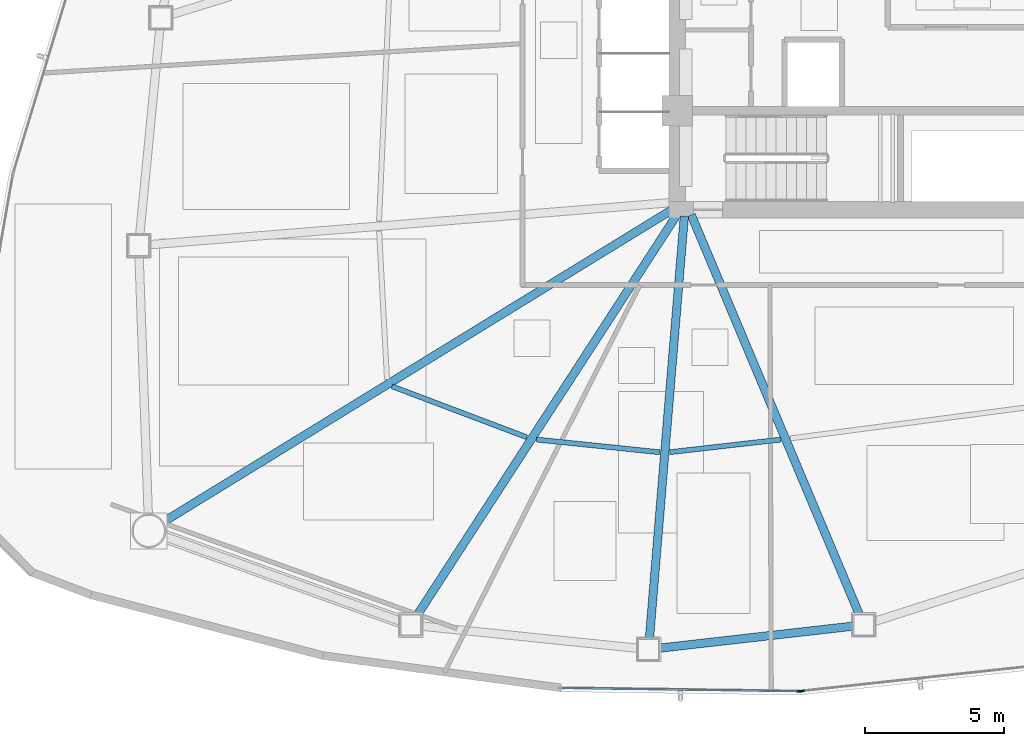
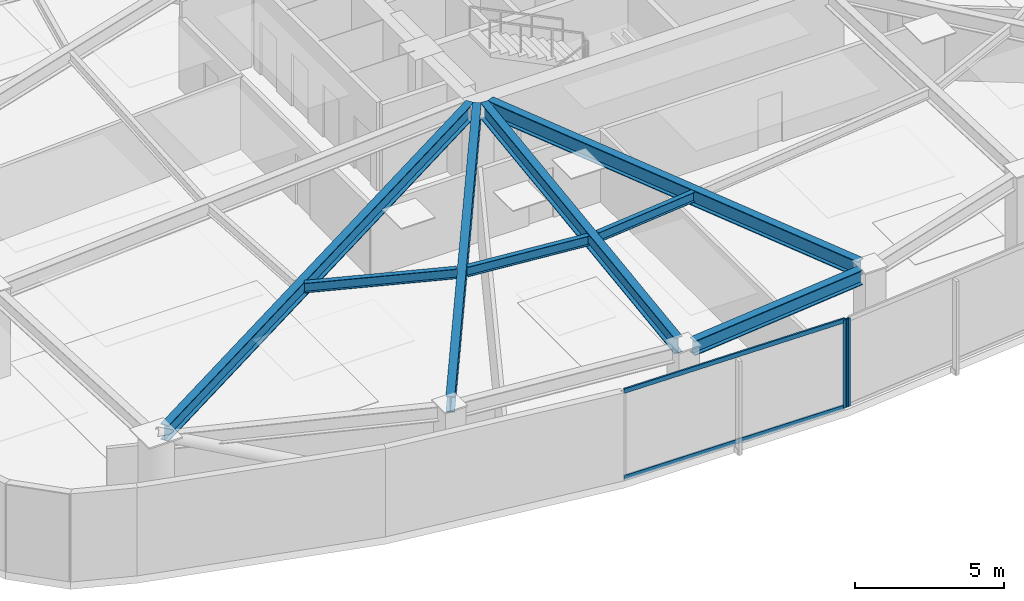
# One storey, part 3 of 16: 8 beams, 4 members, 2 elements without a shape of their own.
"""IFC4 building model written with IfcOpenShell, lengths in metres."""

from ifc_helpers import new_model, si_unit, direction, frame, origin, origin_2d, place, context, subcontext, project, spatial, hollow_rectangle, i_section, extrude, source, transform, mapped, material, layer, layer_set, material_profile, profile_set, type_object, type_shapes, element, aggregate, save


model = new_model("IFC4")

# Units and contexts
model_context = context("Model", 3, precision=1e-05, world=origin(), true_north=direction((0.0, 1.0)))
body_context = subcontext(model_context, "Body", "Model", "MODEL_VIEW")
ifc_project = project(units=[si_unit("LENGTHUNIT", "METRE"), si_unit("AREAUNIT", "SQUARE_METRE"), si_unit("VOLUMEUNIT", "CUBIC_METRE"), si_unit("PLANEANGLEUNIT", "RADIAN"), si_unit("MASSUNIT", "GRAM", prefix="KILO")], contexts=[model_context])

# Site, building, storey
site_placement = place(None, origin())
site = spatial("IfcSite", under=ifc_project, at=site_placement, CompositionType="ELEMENT")
building_placement = place(site_placement, origin())
building = spatial("IfcBuilding", under=site, at=building_placement, Name="Tavelor Broadcast Tower", CompositionType="ELEMENT")
storey_placement = place(building_placement, frame((0.0, 0.0, 35.39990234375)))
storey = spatial("IfcBuildingStorey", under=building, at=storey_placement, Name="L07", CompositionType="ELEMENT", Elevation=35.39990234375)

# Beams
ifc_material_1 = material(Name="Steel S355", Category="steel")
ifc_material_profile_1 = material_profile(ifc_material_1, i_section(OverallWidth=0.179931640625, OverallDepth=0.39990234375, WebThickness=0.008544921875, FlangeThickness=0.013427734375, at=origin_2d()), Name="IPE 400")
ifc_profile_set_1 = profile_set([ifc_material_profile_1], Name="Steel S355")
beam_type_1 = type_object("IfcBeamType", Name="Composite Floor Joist T1 IPE 400", PredefinedType="JOIST", material=ifc_profile_set_1)
beam_1_placement = place(storey_placement, frame((32.875732421875, 32.172119140625, 3.400146484375), z_axis=(0.935393222228, -0.353609275629, 0.0), x_axis=(0.353609275629, 0.935393222228, 0.0)))
element("IfcBeam", 1, at=beam_1_placement, inside=storey, type_object=beam_type_1, Name="L07 Secondary Composite Floor Joist 07", PredefinedType="JOIST", context=body_context, shape_type="SweptSolid", body=[
    extrude(i_section(OverallWidth=0.179931640625, OverallDepth=0.39990234375, WebThickness=0.008544921875, FlangeThickness=0.013427734375, at=origin_2d()), origin(), (0.0, 0.0, 1.0), 5.16357421875),
])
beam_2_placement = place(storey_placement, frame((38.05517578125, 30.263671875, 3.400146484375), z_axis=(0.994731276638, -0.102516765835, 0.0), x_axis=(0.102516765835, 0.994731276638, 0.0)))
element("IfcBeam", 2, at=beam_2_placement, inside=storey, type_object=beam_type_1, Name="L07 Secondary Composite Floor Joist 08", PredefinedType="JOIST", context=body_context, shape_type="SweptSolid", body=[
    extrude(i_section(OverallWidth=0.179931640625, OverallDepth=0.39990234375, WebThickness=0.008544921875, FlangeThickness=0.013427734375, at=origin_2d()), origin(), (0.0, 0.0, 1.0), 4.44384765625),
])
beam_3_placement = place(storey_placement, frame((42.83544921875, 29.81005859375, 3.400146484375), z_axis=(0.993584195036, 0.113094860076, 0.0), x_axis=(-0.113094860076, 0.993584195036, 0.0)))
element("IfcBeam", 3, at=beam_3_placement, inside=storey, type_object=beam_type_1, Name="L07 Secondary Composite Floor Joist 09", PredefinedType="JOIST", context=body_context, shape_type="SweptSolid", body=[
    extrude(i_section(OverallWidth=0.179931640625, OverallDepth=0.39990234375, WebThickness=0.008544921875, FlangeThickness=0.013427734375, at=origin_2d()), origin(), (0.0, 0.0, 1.0), 3.99365234375),
])
ifc_material_profile_2 = material_profile(ifc_material_1, i_section(OverallWidth=0.300048828125, OverallDepth=0.60009765625, WebThickness=0.015380859375, FlangeThickness=0.030029296875, at=origin_2d()), Name="HEB 600")
ifc_profile_set_2 = profile_set([ifc_material_profile_2], Name="Steel S355")
beam_type_2 = type_object("IfcBeamType", Name="Perimeter Spandrel Beam T1 HEB 600", PredefinedType="SPANDREL", material=ifc_profile_set_2)
beam_4_placement = place(storey_placement, frame((42.45458984375, 22.783935546875, 3.300048828125), z_axis=(0.993590028959, 0.113043594921, 0.0), x_axis=(-0.113043594921, 0.993590028959, 0.0)))
element("IfcBeam", 4, at=beam_4_placement, inside=storey, type_object=beam_type_2, Name="L07 Framed-Tube Ring Spandrel 09", PredefinedType="SPANDREL", context=body_context, shape_type="SweptSolid", body=[
    extrude(i_section(OverallWidth=0.300048828125, OverallDepth=0.60009765625, WebThickness=0.015380859375, FlangeThickness=0.030029296875, at=origin_2d()), origin(), (0.0, 0.0, 1.0), 6.995361328125),
])
ifc_material_profile_3 = material_profile(ifc_material_1, i_section(OverallWidth=0.300048828125, OverallDepth=0.64990234375, WebThickness=0.01611328125, FlangeThickness=0.031005859375, at=origin_2d()), Name="HEB 650")
ifc_profile_set_3 = profile_set([ifc_material_profile_3], Name="Steel S355")
beam_type_3 = type_object("IfcBeamType", Name="Radial Floor Girder T1 HEB 650", PredefinedType="BEAM", material=ifc_profile_set_3)
beam_5_placement = place(storey_placement, frame((42.949951171875, 38.523681640625, 3.275146484375), z_axis=(-0.852260376483, -0.523117817205, 0.0), x_axis=(0.523117817205, -0.852260376483, 0.0)))
element("IfcBeam", 5, at=beam_5_placement, inside=storey, type_object=beam_type_3, Name="L07 Radial Primary Floor Girder 07", PredefinedType="BEAM", context=body_context, shape_type="SweptSolid", body=[
    extrude(i_section(OverallWidth=0.300048828125, OverallDepth=0.64990234375, WebThickness=0.01611328125, FlangeThickness=0.031005859375, at=origin_2d()), origin(), (0.0, 0.0, 1.0), 21.463134765625),
])
beam_6_placement = place(storey_placement, frame((43.11279296875, 38.35693359375, 3.275146484375), z_axis=(-0.544182728087, -0.838966720706, 0.0), x_axis=(0.838966720706, -0.544182728087, 0.0)))
element("IfcBeam", 6, at=beam_6_placement, inside=storey, type_object=beam_type_3, Name="L07 Radial Primary Floor Girder 08", PredefinedType="BEAM", context=body_context, shape_type="SweptSolid", body=[
    extrude(i_section(OverallWidth=0.300048828125, OverallDepth=0.64990234375, WebThickness=0.01611328125, FlangeThickness=0.031005859375, at=origin_2d()), origin(), (0.0, 0.0, 1.0), 17.186767578125),
])
beam_7_placement = place(storey_placement, frame((43.3564453125, 38.273681640625, 3.275146484375), z_axis=(-0.082338386508, -0.996604430106, 0.0), x_axis=(0.996604430106, -0.082338386508, 0.0)))
element("IfcBeam", 7, at=beam_7_placement, inside=storey, type_object=beam_type_3, Name="L07 Radial Primary Floor Girder 09", PredefinedType="BEAM", context=body_context, shape_type="SweptSolid", body=[
    extrude(i_section(OverallWidth=0.300048828125, OverallDepth=0.64990234375, WebThickness=0.01611328125, FlangeThickness=0.031005859375, at=origin_2d()), origin(), (0.0, 0.0, 1.0), 15.201904296875),
])
beam_8_placement = place(storey_placement, frame((43.604736328125, 38.313232421875, 3.275146484375), z_axis=(0.387757434366, -0.921761450753, 0.0), x_axis=(0.921761450753, 0.387757434366, 0.0)))
element("IfcBeam", 8, at=beam_8_placement, inside=storey, type_object=beam_type_3, Name="L07 Radial Primary Floor Girder 10", PredefinedType="BEAM", context=body_context, shape_type="SweptSolid", body=[
    extrude(i_section(OverallWidth=0.300048828125, OverallDepth=0.64990234375, WebThickness=0.01611328125, FlangeThickness=0.031005859375, at=origin_2d()), origin(), (0.0, 0.0, 1.0), 15.55859375),
])

# Curtain wall, member
ifc_material_2 = material(Name="Architectural Anodized Aluminium", Category="aluminium")
ifc_layer = layer(ifc_material_2, 0.179931640625)
ifc_layer_set = layer_set([ifc_layer], Name="Architectural Anodized Aluminium")
curtain_wall_type = type_object("IfcCurtainWallType", Name="Tower Low-Zone Unitised Curtain Wall CW02", PredefinedType="NOTDEFINED", material=ifc_layer_set)
curtain_wall_1_placement = place(storey_placement, origin())
curtain_wall_1 = element("IfcCurtainWall", 9, at=curtain_wall_1_placement, inside=storey, type_object=curtain_wall_type, Name="L07 Curtain Wall CW02 Run 41", PredefinedType="NOTDEFINED")
ifc_material_profile_4 = material_profile(ifc_material_2, hollow_rectangle(XDim=0.06494140625, YDim=0.179931640625, WallThickness=0.02197265625, at=origin_2d()), Name="RHS 65x180x22")
ifc_profile_set_4 = profile_set([ifc_material_profile_4], Name="Architectural Anodized Aluminium")
member_type_1 = type_object("IfcMemberType", Name="CW02 Extruded Aluminium Mullion 65x180", PredefinedType="MULLION", material=ifc_profile_set_4)
shared_shape_1 = source(origin(), body_context, "Body", "SweptSolid", [
    extrude(hollow_rectangle(XDim=0.06494140625, YDim=0.179931640625, WallThickness=0.02197265625, at=origin_2d()), origin(), (0.0, 0.0, 1.0), 3.60009765625),
])
type_shapes(member_type_1, [shared_shape_1])
member_1_placement = place(storey_placement, frame((47.472900390625, 21.243896484375, 0.0), z_axis=(0.0, 0.0, 1.0), x_axis=(0.013533365758, 0.999908419812, 0.0)))
member_1 = element("IfcMember", 10, at=member_1_placement, type_object=member_type_1, Name="CW02 mullion 2", PredefinedType="MULLION", context=body_context, shape_type="MappedRepresentation", body=[
    mapped(shared_shape_1, transform((0.0, 0.0, 0.0), scale=1.0)),
])

curtain_wall_2_placement = place(storey_placement, origin())
curtain_wall_2 = element("IfcCurtainWall", 11, at=curtain_wall_2_placement, inside=storey, type_object=curtain_wall_type, Name="L07 Curtain Wall CW02 Run 42", PredefinedType="NOTDEFINED")
member_2_placement = place(storey_placement, frame((47.567626953125, 21.248291015625, 0.0), z_axis=(0.0, 0.0, 1.0), x_axis=(-0.107567865191, 0.994197744102, 0.0)))
member_2 = element("IfcMember", 12, at=member_2_placement, type_object=member_type_1, Name="CW02 mullion 1", PredefinedType="MULLION", context=body_context, shape_type="MappedRepresentation", body=[
    mapped(shared_shape_1, transform((0.0, 0.0, 0.0), scale=1.0)),
])
aggregate(curtain_wall_2, [member_2])

# Member
ifc_material_profile_5 = material_profile(ifc_material_2, hollow_rectangle(XDim=0.06494140625, YDim=0.179931640625, WallThickness=0.02197265625, at=origin_2d()), Name="RHS 65x180x22")
ifc_profile_set_5 = profile_set([ifc_material_profile_5], Name="Architectural Anodized Aluminium")
member_type_2 = type_object("IfcMemberType", Name="CW02 Extruded Aluminium Transom 65x180", PredefinedType="USERDEFINED", material=ifc_profile_set_5)
shared_shape_2 = source(origin(), body_context, "Body", "SweptSolid", [
    extrude(hollow_rectangle(XDim=0.06494140625, YDim=0.179931640625, WallThickness=0.02197265625, at=origin_2d()), origin(), (0.0, 0.0, 1.0), 8.4560546875),
])
type_shapes(member_type_2, [shared_shape_2])
member_3_placement = place(storey_placement, frame((38.98486328125, 21.358642578125, 0.03271484375), z_axis=(0.999908710251, -0.013511889712, 0.0), x_axis=(0.013511889712, 0.999908710251, 0.0)))
member_3 = element("IfcMember", 13, at=member_3_placement, type_object=member_type_2, Name="CW02 transom 1.1", ObjectType="TRANSOM", PredefinedType="USERDEFINED", context=body_context, shape_type="MappedRepresentation", body=[
    mapped(shared_shape_2, transform((0.0, 0.0, 0.0), scale=1.0)),
])

member_4_placement = place(storey_placement, frame((38.98486328125, 21.358642578125, 3.567626953125), z_axis=(0.999908710251, -0.013511889712, 0.0), x_axis=(0.013511889712, 0.999908710251, 0.0)))
member_4 = element("IfcMember", 14, at=member_4_placement, type_object=member_type_2, Name="CW02 transom 1.2", ObjectType="TRANSOM", PredefinedType="USERDEFINED", context=body_context, shape_type="MappedRepresentation", body=[
    mapped(shared_shape_2, transform((0.0, 0.0, 0.0), scale=1.0)),
])

aggregate(curtain_wall_1, [member_1, member_3, member_4])

save(model, "model.ifc")
